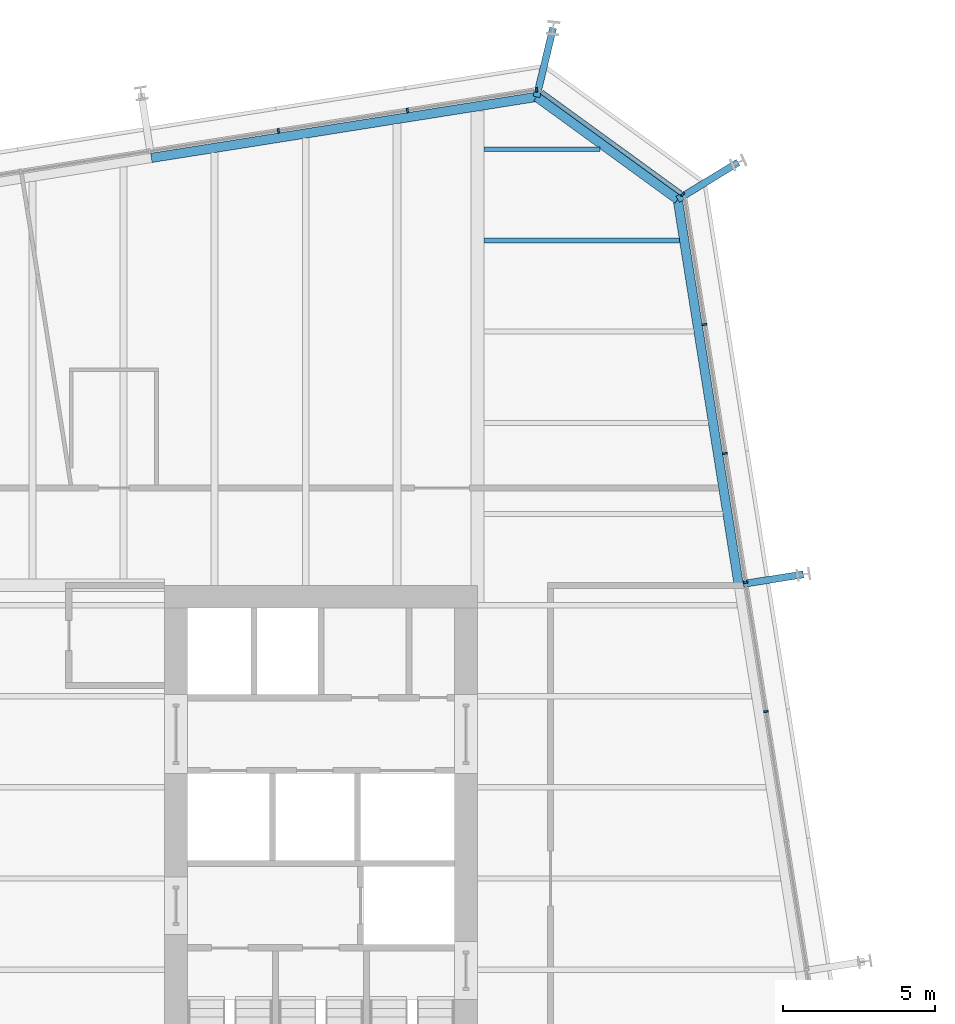
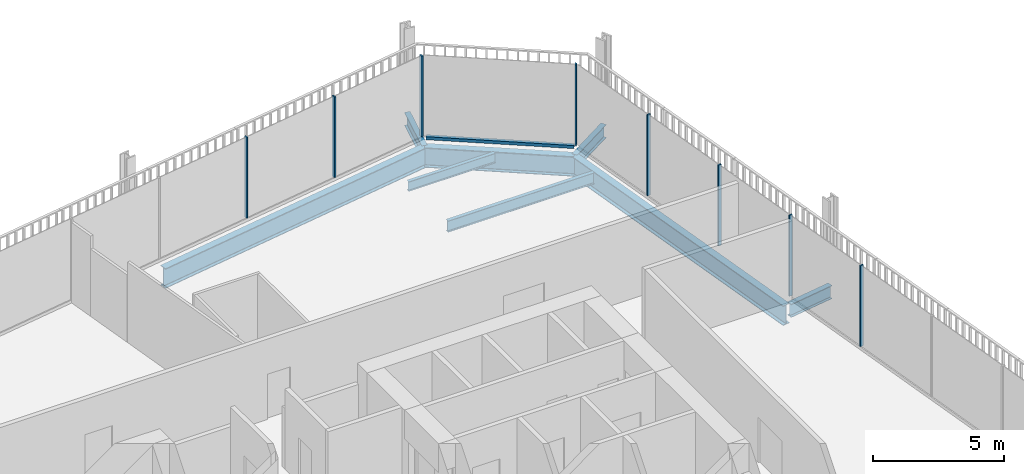
# One storey, part 15 of 21: 9 members, 8 beams, 3 elements without a shape of their own.
"""IFC4 building model written with IfcOpenShell, lengths in metres."""

from ifc_helpers import new_model, si_unit, direction, frame, origin, origin_2d, place, context, subcontext, project, spatial, rectangle, i_section, extrude, material, layer, layer_set, material_profile, profile_set, type_object, element, aggregate, save


model = new_model("IFC4")

# Units and contexts
model_context = context("Model", 3, precision=1e-05, world=origin(), true_north=direction((0.0, 1.0)))
body_context = subcontext(model_context, "Body", "Model", "MODEL_VIEW")
ifc_project = project(units=[si_unit("LENGTHUNIT", "METRE"), si_unit("AREAUNIT", "SQUARE_METRE"), si_unit("VOLUMEUNIT", "CUBIC_METRE"), si_unit("PLANEANGLEUNIT", "RADIAN"), si_unit("MASSUNIT", "GRAM", prefix="KILO")], contexts=[model_context])

# Site, building, storey
site_placement = place(None, origin())
site = spatial("IfcSite", under=ifc_project, at=site_placement, CompositionType="ELEMENT")
building_placement = place(site_placement, origin())
building = spatial("IfcBuilding", under=site, at=building_placement, Name="Millrace Tower", CompositionType="ELEMENT")
storey_placement = place(building_placement, frame((0.0, 0.0, 133.39990234375)))
storey = spatial("IfcBuildingStorey", under=building, at=storey_placement, Name="L29", CompositionType="ELEMENT", Elevation=133.39990234375)

# Curtain wall, members
ifc_material_1 = material(Name="Aluminium and glass", Category="aluminium")
ifc_layer = layer(ifc_material_1, 0.14990234375)
ifc_layer_set = layer_set([ifc_layer], Name="Aluminium and glass")
curtain_wall_type = type_object("IfcCurtainWallType", Name="CW-1 office vision curtain wall", PredefinedType="NOTDEFINED", material=ifc_layer_set)
placement = place(storey_placement, origin())
curtain_wall_1 = element("IfcCurtainWall", 1, at=placement, inside=storey, type_object=curtain_wall_type, Name="Curtain wall C-F04 L29", PredefinedType="NOTDEFINED")
ifc_material_2 = material(Name="Aluminium", Category="aluminium")
ifc_material_profile_1 = material_profile(ifc_material_2, rectangle(XDim=0.06494140625, YDim=0.14990234375, at=origin_2d()))
ifc_profile_set_1 = profile_set([ifc_material_profile_1], Name="Aluminium")
member_type_1 = type_object("IfcMemberType", Name="CW-1 office vision curtain wall mullion", PredefinedType="MULLION", material=ifc_profile_set_1)
member_1_placement = place(storey_placement, frame((24.143310546875, 5.49365234375, 0.14013671875), z_axis=(0.0, 0.0, 1.0), x_axis=(-0.15643447328, 0.98768833929, 0.0)))
member_1 = element("IfcMember", 2, at=member_1_placement, type_object=member_type_1, Name="CW1 mullion C-F04.6", PredefinedType="MULLION", context=body_context, shape_type="SweptSolid", body=[
    extrude(rectangle(XDim=0.06494140625, YDim=0.14990234375, at=origin_2d()), origin(), (0.0, 0.0, 1.0), 3.760009765625),
])
member_2_placement = place(storey_placement, frame((23.470703125, 9.74072265625, 0.14013671875), z_axis=(0.0, 0.0, 1.0), x_axis=(-0.15643447328, 0.98768833929, 0.0)))
member_2 = element("IfcMember", 3, at=member_2_placement, type_object=member_type_1, Name="CW1 mullion C-F04.7", PredefinedType="MULLION", context=body_context, shape_type="SweptSolid", body=[
    extrude(rectangle(XDim=0.06494140625, YDim=0.14990234375, at=origin_2d()), origin(), (0.0, 0.0, 1.0), 3.760009765625),
])
member_3_placement = place(storey_placement, frame((22.798095703125, 13.98779296875, 0.14013671875), z_axis=(0.0, 0.0, 1.0), x_axis=(-0.15643447328, 0.98768833929, 0.0)))
member_3 = element("IfcMember", 4, at=member_3_placement, type_object=member_type_1, Name="CW1 mullion C-F04.8", PredefinedType="MULLION", context=body_context, shape_type="SweptSolid", body=[
    extrude(rectangle(XDim=0.06494140625, YDim=0.14990234375, at=origin_2d()), origin(), (0.0, 0.0, 1.0), 3.760009765625),
])
member_4_placement = place(storey_placement, frame((22.125244140625, 18.23486328125, 0.14013671875), z_axis=(0.0, 0.0, 1.0), x_axis=(-0.15643447328, 0.98768833929, 0.0)))
member_4 = element("IfcMember", 5, at=member_4_placement, type_object=member_type_1, Name="CW1 mullion C-F04.9", PredefinedType="MULLION", context=body_context, shape_type="SweptSolid", body=[
    extrude(rectangle(XDim=0.06494140625, YDim=0.14990234375, at=origin_2d()), origin(), (0.0, 0.0, 1.0), 3.760009765625),
])
aggregate(curtain_wall_1, [member_1, member_2, member_3, member_4])

# Curtain wall, member
curtain_wall_2 = element("IfcCurtainWall", 6, at=placement, inside=storey, type_object=curtain_wall_type, Name="Curtain wall C-F05 L29", PredefinedType="NOTDEFINED")
member_5_placement = place(storey_placement, frame((21.4013671875, 22.517822265625, 0.14013671875), z_axis=(0.0, 0.0, 1.0), x_axis=(-0.809016981623, 0.587785269844, 0.0)))
member_5 = element("IfcMember", 7, at=member_5_placement, type_object=member_type_1, Name="CW1 mullion C-F05.1", PredefinedType="MULLION", context=body_context, shape_type="SweptSolid", body=[
    extrude(rectangle(XDim=0.06494140625, YDim=0.14990234375, at=origin_2d()), origin(), (0.0, 0.0, 1.0), 3.760009765625),
])

# Curtain wall, members
curtain_wall_3 = element("IfcCurtainWall", 8, at=placement, inside=storey, type_object=curtain_wall_type, Name="Curtain wall C-F06 L29", PredefinedType="NOTDEFINED")
member_6_placement = place(storey_placement, frame((16.591796875, 25.956787109375, 0.14013671875), z_axis=(0.0, 0.0, 1.0), x_axis=(-0.98768833929, -0.15643447328, 0.0)))
member_6 = element("IfcMember", 9, at=member_6_placement, type_object=member_type_1, Name="CW1 mullion C-F06.1", PredefinedType="MULLION", context=body_context, shape_type="SweptSolid", body=[
    extrude(rectangle(XDim=0.06494140625, YDim=0.14990234375, at=origin_2d()), origin(), (0.0, 0.0, 1.0), 3.760009765625),
])
member_7_placement = place(storey_placement, frame((12.3447265625, 25.283935546875, 0.14013671875), z_axis=(0.0, 0.0, 1.0), x_axis=(-0.98768833929, -0.15643447328, 0.0)))
member_7 = element("IfcMember", 10, at=member_7_placement, type_object=member_type_1, Name="CW1 mullion C-F06.2", PredefinedType="MULLION", context=body_context, shape_type="SweptSolid", body=[
    extrude(rectangle(XDim=0.06494140625, YDim=0.14990234375, at=origin_2d()), origin(), (0.0, 0.0, 1.0), 3.760009765625),
])
member_8_placement = place(storey_placement, frame((8.09765625, 24.611328125, 0.14013671875), z_axis=(0.0, 0.0, 1.0), x_axis=(-0.98768833929, -0.15643447328, 0.0)))
member_8 = element("IfcMember", 11, at=member_8_placement, type_object=member_type_1, Name="CW1 mullion C-F06.3", PredefinedType="MULLION", context=body_context, shape_type="SweptSolid", body=[
    extrude(rectangle(XDim=0.06494140625, YDim=0.14990234375, at=origin_2d()), origin(), (0.0, 0.0, 1.0), 3.760009765625),
])
aggregate(curtain_wall_3, [member_6, member_7, member_8])

# Member
ifc_material_3 = material(Name="Aluminium", Category="aluminium")
ifc_material_profile_2 = material_profile(ifc_material_3, rectangle(XDim=0.14990234375, YDim=0.139892578125, at=origin_2d()))
ifc_profile_set_2 = profile_set([ifc_material_profile_2], Name="Aluminium")
member_type_2 = type_object("IfcMemberType", Name="CW-1 office vision curtain wall transom", PredefinedType="USERDEFINED", material=ifc_profile_set_2)
member_9_placement = place(storey_placement, frame((21.346923828125, 22.557373046875, 0.070068359375), z_axis=(-0.809013470651, 0.587790102252, 0.0), x_axis=(-0.587790102252, -0.809013470651, 0.0)))
member_9 = element("IfcMember", 12, at=member_9_placement, type_object=member_type_2, Name="CW1 transom C-F05.1", ObjectType="TRANSOM", PredefinedType="USERDEFINED", context=body_context, shape_type="SweptSolid", body=[
    extrude(rectangle(XDim=0.14990234375, YDim=0.139892578125, at=origin_2d()), origin(), (0.0, 0.0, 1.0), 5.669189453125),
])

aggregate(curtain_wall_2, [member_5, member_9])

# Beams
ifc_material_4 = material(Name="Steel ASTM A992 Grade 50", Category="steel")
ifc_material_profile_3 = material_profile(ifc_material_4, i_section(OverallWidth=0.15234375, OverallDepth=0.449462890625, WebThickness=0.007568359375, FlangeThickness=0.0107421875, FilletRadius=0.01025390625, at=origin_2d()))
ifc_profile_set_3 = profile_set([ifc_material_profile_3], Name="Steel ASTM A992 Grade 50")
beam_type_1 = type_object("IfcBeamType", Name="Floor beam W18x35", PredefinedType="JOIST", material=ifc_profile_set_3)
beam_1_placement = place(storey_placement, frame((14.859619140625, 24.0, -0.384765625), z_axis=(1.0, 0.0, 0.0), x_axis=(0.0, 1.0, 0.0)))
element("IfcBeam", 13, at=beam_1_placement, inside=storey, type_object=beam_type_1, Name="BM-C-L29-S1-S038", PredefinedType="JOIST", context=body_context, shape_type="SweptSolid", body=[
    extrude(i_section(OverallWidth=0.15234375, OverallDepth=0.449462890625, WebThickness=0.007568359375, FlangeThickness=0.0107421875, FilletRadius=0.01025390625, at=origin_2d()), origin(), (0.0, 0.0, 1.0), 3.8232421875),
])
ifc_material_5 = material(Name="Steel ASTM A992 Grade 50", Category="steel")
ifc_material_profile_4 = material_profile(ifc_material_5, i_section(OverallWidth=0.1650390625, OverallDepth=0.52587890625, WebThickness=0.0087890625, FlangeThickness=0.011474609375, FilletRadius=0.0126953125, at=origin_2d()))
ifc_profile_set_4 = profile_set([ifc_material_profile_4], Name="Steel ASTM A992 Grade 50")
beam_type_2 = type_object("IfcBeamType", Name="Floor beam W21x44", PredefinedType="JOIST", material=ifc_profile_set_4)
beam_2_placement = place(storey_placement, frame((14.859619140625, 21.0, -0.4228515625), z_axis=(1.0, 0.0, 0.0), x_axis=(0.0, 1.0, 0.0)))
element("IfcBeam", 14, at=beam_2_placement, inside=storey, type_object=beam_type_2, Name="BM-C-L29-S1-S037", PredefinedType="JOIST", context=body_context, shape_type="SweptSolid", body=[
    extrude(i_section(OverallWidth=0.1650390625, OverallDepth=0.52587890625, WebThickness=0.0087890625, FlangeThickness=0.011474609375, FilletRadius=0.0126953125, at=origin_2d()), origin(), (0.0, 0.0, 1.0), 6.440673828125),
])
ifc_material_6 = material(Name="Steel ASTM A992 Grade 50", Category="steel")
ifc_material_profile_5 = material_profile(ifc_material_6, i_section(OverallWidth=0.23046875, OverallDepth=0.6171875, WebThickness=0.01318359375, FlangeThickness=0.022216796875, FilletRadius=0.012939453125, at=origin_2d()))
ifc_profile_set_5 = profile_set([ifc_material_profile_5], Name="Steel ASTM A992 Grade 50")
beam_type_3 = type_object("IfcBeamType", Name="Link beam W24x94", PredefinedType="BEAM", material=ifc_profile_set_5)
beam_3_placement = place(storey_placement, frame((16.5966796875, 25.725830078125, -0.468505859375), z_axis=(0.233432364948, 0.972373041068, 0.0), x_axis=(-0.972373041068, 0.233432364948, 0.0)))
element("IfcBeam", 15, at=beam_3_placement, inside=storey, type_object=beam_type_3, Name="LNK-C-L29-S1-08", PredefinedType="BEAM", context=body_context, shape_type="SweptSolid", body=[
    extrude(i_section(OverallWidth=0.23046875, OverallDepth=0.6171875, WebThickness=0.01318359375, FlangeThickness=0.022216796875, FilletRadius=0.012939453125, at=origin_2d()), origin(), (0.0, 0.0, 1.0), 2.331298828125),
])
beam_4_placement = place(storey_placement, frame((21.241943359375, 22.35107421875, -0.468505859375), z_axis=(0.852631355792, 0.522512938711, 0.0), x_axis=(-0.522512938711, 0.852631355792, 0.0)))
element("IfcBeam", 16, at=beam_4_placement, inside=storey, type_object=beam_type_3, Name="LNK-C-L29-S1-09", PredefinedType="BEAM", context=body_context, shape_type="SweptSolid", body=[
    extrude(i_section(OverallWidth=0.23046875, OverallDepth=0.6171875, WebThickness=0.01318359375, FlangeThickness=0.022216796875, FilletRadius=0.012939453125, at=origin_2d()), origin(), (0.0, 0.0, 1.0), 2.3310546875),
])
beam_5_placement = place(storey_placement, frame((23.401611328125, 9.69677734375, -0.468505859375), z_axis=(0.987678691416, 0.156495375404, 0.0), x_axis=(-0.156495375404, 0.987678691416, 0.0)))
element("IfcBeam", 17, at=beam_5_placement, inside=storey, type_object=beam_type_3, Name="LNK-C-L29-S1-10", PredefinedType="BEAM", context=body_context, shape_type="SweptSolid", body=[
    extrude(i_section(OverallWidth=0.23046875, OverallDepth=0.6171875, WebThickness=0.01318359375, FlangeThickness=0.022216796875, FilletRadius=0.012939453125, at=origin_2d()), origin(), (0.0, 0.0, 1.0), 2.0),
])
ifc_material_7 = material(Name="Steel ASTM A992 Grade 50", Category="steel")
ifc_material_profile_6 = material_profile(ifc_material_7, i_section(OverallWidth=0.307373046875, OverallDepth=0.927001953125, WebThickness=0.01953125, FlangeThickness=0.031982421875, FilletRadius=0.01904296875, at=origin_2d()))
ifc_profile_set_6 = profile_set([ifc_material_profile_6], Name="Steel ASTM A992 Grade 50")
beam_type_4 = type_object("IfcBeamType", Name="Ring beam medium span W36x194", PredefinedType="SPANDREL", material=ifc_profile_set_6)
for number, where, z_axis, x_axis, name in (
    (18, (3.91845703125, 23.718017578125, -0.62353515625), (0.987690996996, 0.156417692264, 0.0), (-0.156417692264, 0.987690996996, 0.0), "RNG-C-L29-S1-07"),
    (19, (21.241943359375, 22.35107421875, -0.62353515625), (0.156436246498, -0.987688058438, 0.0), (0.987688058438, 0.156436246498, 0.0), "RNG-C-L29-S1-09"),
):
    element("IfcBeam", number, at=place(storey_placement, frame(where, z_axis=z_axis, x_axis=x_axis)), inside=storey, type_object=beam_type_4, Name=name, PredefinedType="SPANDREL", context=body_context, shape_type="SweptSolid", body=[
        extrude(i_section(OverallWidth=0.307373046875, OverallDepth=0.927001953125, WebThickness=0.01953125, FlangeThickness=0.031982421875, FilletRadius=0.01904296875, at=origin_2d()), origin(), (0.0, 0.0, 1.0), 12.836181640625),
    ])
ifc_material_8 = material(Name="Steel ASTM A992 Grade 50", Category="steel")
ifc_material_profile_7 = material_profile(ifc_material_8, i_section(OverallWidth=0.307373046875, OverallDepth=0.927001953125, WebThickness=0.01953125, FlangeThickness=0.031982421875, FilletRadius=0.01904296875, at=origin_2d()))
ifc_profile_set_7 = profile_set([ifc_material_profile_7], Name="Steel ASTM A992 Grade 50")
beam_type_5 = type_object("IfcBeamType", Name="Ring beam short span W36x194", PredefinedType="SPANDREL", material=ifc_profile_set_7)
beam_6_placement = place(storey_placement, frame((16.5966796875, 25.725830078125, -0.62353515625), z_axis=(0.809035690681, -0.587759518174, 0.0), x_axis=(0.587759518174, 0.809035690681, 0.0)))
element("IfcBeam", 20, at=beam_6_placement, inside=storey, type_object=beam_type_5, Name="RNG-C-L29-S1-08", PredefinedType="SPANDREL", context=body_context, shape_type="SweptSolid", body=[
    extrude(i_section(OverallWidth=0.307373046875, OverallDepth=0.927001953125, WebThickness=0.01953125, FlangeThickness=0.031982421875, FilletRadius=0.01904296875, at=origin_2d()), origin(), (0.0, 0.0, 1.0), 5.74169921875),
])

save(model, "model.ifc")
